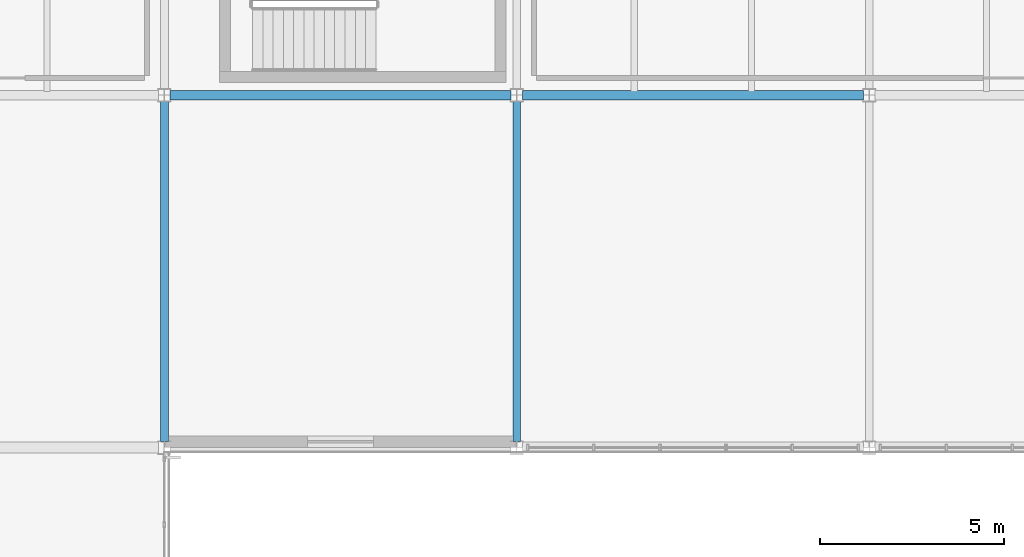
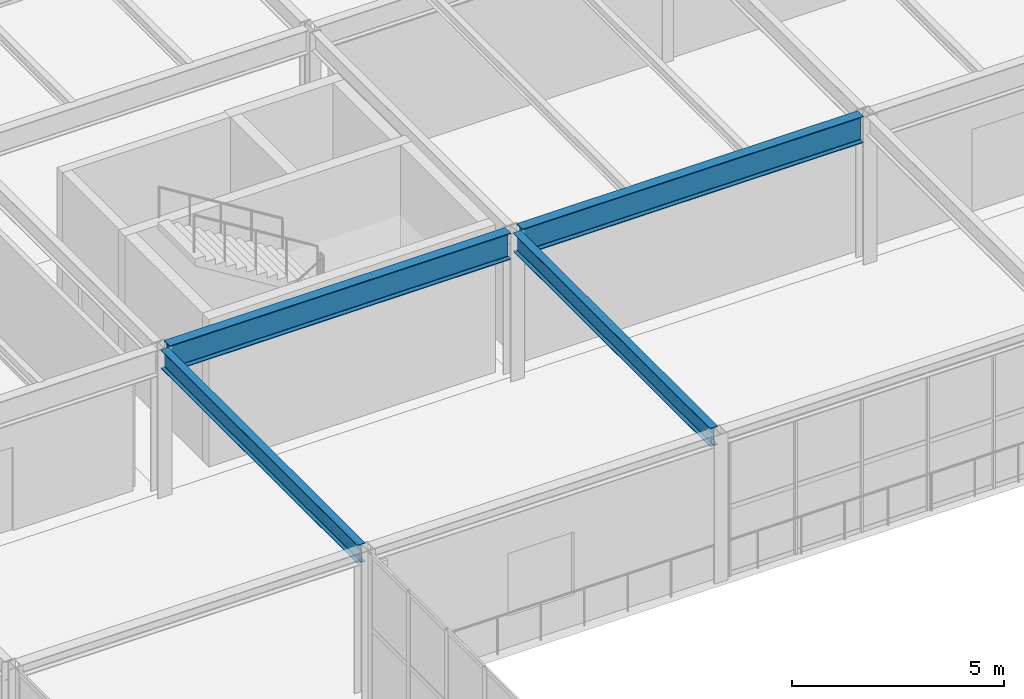
# One storey, part 85 of 170: 4 beams.
"""IFC4 building model written with IfcOpenShell, lengths in metres."""

from ifc_helpers import new_model, si_unit, direction, frame, origin, origin_2d, place, context, subcontext, project, spatial, i_section, extrude, material, material_profile, profile_set, type_object, element, save


model = new_model("IFC4")

# Units and contexts
model_context = context("Model", 3, precision=1e-05, world=origin(), true_north=direction((0.0, 1.0)))
body_context = subcontext(model_context, "Body", "Model", "MODEL_VIEW")
ifc_project = project(units=[si_unit("LENGTHUNIT", "METRE"), si_unit("AREAUNIT", "SQUARE_METRE"), si_unit("VOLUMEUNIT", "CUBIC_METRE"), si_unit("PLANEANGLEUNIT", "RADIAN"), si_unit("MASSUNIT", "GRAM", prefix="KILO")], contexts=[model_context])

# Site, building, storey
site_placement = place(None, origin())
site = spatial("IfcSite", under=ifc_project, at=site_placement, CompositionType="ELEMENT")
building_placement = place(site_placement, origin())
building = spatial("IfcBuilding", under=site, at=building_placement, Name="Coralgate Yard Interchange", CompositionType="ELEMENT")
storey_placement = place(building_placement, frame((0.0, 0.0, 6.0)))
storey = spatial("IfcBuildingStorey", under=building, at=storey_placement, Name="L01", CompositionType="ELEMENT", Elevation=6.0)

# Beams
ifc_material = material(Name="Structural steel S355J2", Category="steel")
ifc_material_profile_1 = material_profile(ifc_material, i_section(OverallWidth=0.209228515625, OverallDepth=0.533203125, WebThickness=0.010009765625, FlangeThickness=0.015625, FilletRadius=0.0126953125, at=origin_2d()), Name="UB 533x210x92")
ifc_profile_set_1 = profile_set([ifc_material_profile_1], Name="Structural steel S355J2")
beam_type_1 = type_object("IfcBeamType", Name="BM-SB-1", PredefinedType="BEAM", material=ifc_profile_set_1)
for number, where, z_axis, x_axis, name in (
    (1, (48.0, 67.35400390625, 3.9833984375), (0.0, 1.0, 0.0), (-1.0, 0.0, 0.0), "L01 primary grid girder X5 Y7-8"),
    (2, (57.60009765625, 67.35400390625, 3.9833984375), (0.0, 1.0, 0.0), (-1.0, 0.0, 0.0), "L01 primary grid girder X6 Y7-8"),
):
    element("IfcBeam", number, at=place(storey_placement, frame(where, z_axis=z_axis, x_axis=x_axis)), inside=storey, type_object=beam_type_1, Name=name, PredefinedType="BEAM", context=body_context, shape_type="SweptSolid", body=[
        extrude(i_section(OverallWidth=0.209228515625, OverallDepth=0.533203125, WebThickness=0.010009765625, FlangeThickness=0.015625, FilletRadius=0.0126953125, at=origin_2d()), origin(), (0.0, 0.0, 1.0), 9.2919921875),
    ])
ifc_material_profile_2 = material_profile(ifc_material, i_section(OverallWidth=0.2666015625, OverallDepth=0.76220703125, WebThickness=0.014404296875, FlangeThickness=0.021484375, FilletRadius=0.0166015625, at=origin_2d()), Name="UB 762x267x173")
ifc_profile_set_2 = profile_set([ifc_material_profile_2], Name="Structural steel S355J2")
beam_type_2 = type_object("IfcBeamType", Name="BM-SG-3", PredefinedType="BEAM", material=ifc_profile_set_2)
for number, where, z_axis, x_axis, name in (
    (3, (48.15625, 76.800048828125, 3.868896484375), (1.0, 0.0, 0.0), (0.0, 1.0, 0.0), "L01 primary grid beam Y8 X5-6"),
    (4, (57.75634765625, 76.800048828125, 3.868896484375), (1.0, 0.0, 0.0), (0.0, 1.0, 0.0), "L01 primary grid beam Y8 X6-7"),
):
    element("IfcBeam", number, at=place(storey_placement, frame(where, z_axis=z_axis, x_axis=x_axis)), inside=storey, type_object=beam_type_2, Name=name, PredefinedType="BEAM", context=body_context, shape_type="SweptSolid", body=[
        extrude(i_section(OverallWidth=0.2666015625, OverallDepth=0.76220703125, WebThickness=0.014404296875, FlangeThickness=0.021484375, FilletRadius=0.0166015625, at=origin_2d()), origin(), (0.0, 0.0, 1.0), 9.287353515625),
    ])

save(model, "model.ifc")
